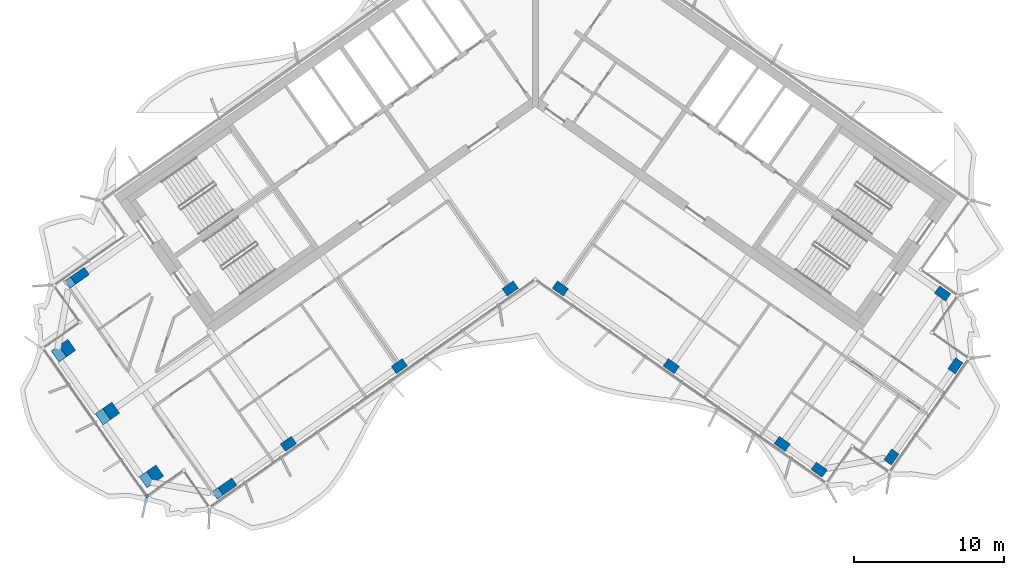
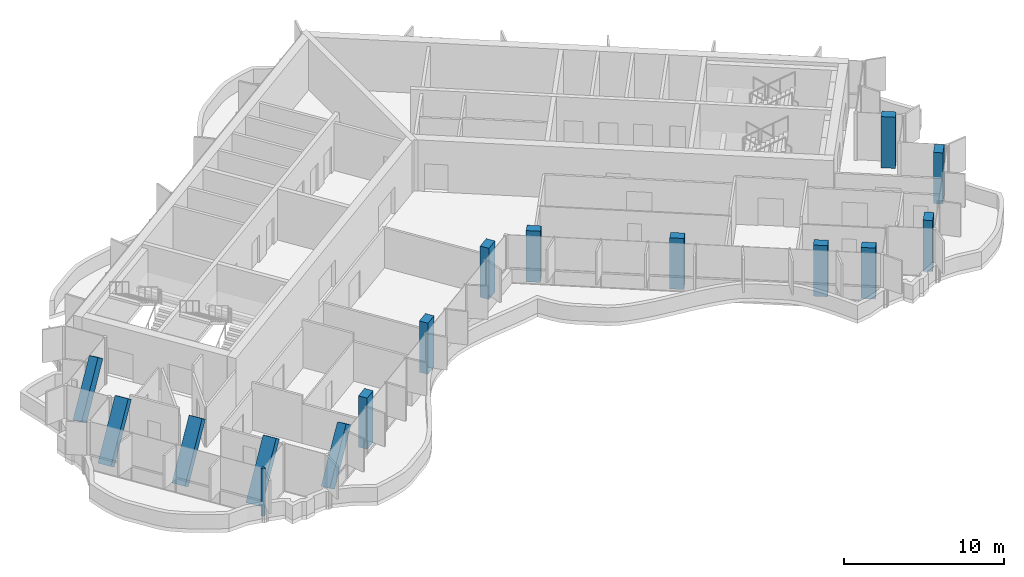
# One storey, part 1 of 17: 15 columns, 1 member, 1 element without a shape of its own.
"""IFC4 building model written with IfcOpenShell, lengths in metres."""

from ifc_helpers import new_model, si_unit, direction, frame, origin, origin_2d, place, context, subcontext, project, spatial, rectangle, extrude, clip, halfspace, material, material_profile, profile_set, type_object, element, aggregate, save


model = new_model("IFC4")

# Units and contexts
model_context = context("Model", 3, precision=1e-05, world=origin(), true_north=direction((0.0, 1.0)))
body_context = subcontext(model_context, "Body", "Model", "MODEL_VIEW")
ifc_project = project(units=[si_unit("LENGTHUNIT", "METRE"), si_unit("AREAUNIT", "SQUARE_METRE"), si_unit("VOLUMEUNIT", "CUBIC_METRE"), si_unit("PLANEANGLEUNIT", "RADIAN"), si_unit("MASSUNIT", "GRAM", prefix="KILO")], contexts=[model_context])

# Site, building, storey
site_placement = place(None, origin())
site = spatial("IfcSite", under=ifc_project, at=site_placement, CompositionType="ELEMENT")
building_placement = place(site_placement, origin())
building = spatial("IfcBuilding", under=site, at=building_placement, Name="Tel Ilan Convention Tower", CompositionType="ELEMENT")
storey_placement = place(building_placement, frame((0.0, 0.0, 291.699951171875)))
storey = spatial("IfcBuildingStorey", under=building, at=storey_placement, Name="L69", CompositionType="ELEMENT", Elevation=291.699951171875)

# Columns
ifc_material_1 = material(Name="Concrete C40/50", Category="concrete")
ifc_material_profile_1 = material_profile(ifc_material_1, rectangle(XDim=0.89990234375, YDim=0.60009765625, at=origin_2d()), Name="RC 600x900")
ifc_profile_set_1 = profile_set([ifc_material_profile_1], Name="Concrete C40/50")
column_type = type_object("IfcColumnType", Name="Column RC 600x900 C40/50", PredefinedType="COLUMN", material=ifc_profile_set_1)
for number, where, z_axis, x_axis, name in (
    (1, (-1.665283203125, -13.312744140625, 0.0), (0.0, 0.0, 1.0), (-0.819152044289, -0.573576436351, 0.0), "L69 column W-F1"),
    (2, (-9.03759765625, -18.474853515625, 0.0), (0.0, 0.0, 1.0), (-0.819152044289, -0.573576436351, 0.0), "L69 column W-F2"),
    (3, (-16.409912109375, -23.63720703125, 0.0), (0.0, 0.0, 1.0), (-0.819152044289, -0.573576436351, 0.0), "L69 column W-F3"),
):
    element("IfcColumn", number, at=place(storey_placement, frame(where, z_axis=z_axis, x_axis=x_axis)), inside=storey, type_object=column_type, Name=name, PredefinedType="COLUMN", context=body_context, shape_type="SweptSolid", body=[
        extrude(rectangle(XDim=0.89990234375, YDim=0.60009765625, at=origin_2d()), origin(), (0.0, 0.0, 1.0), 3.900146484375),
    ])
column_1_placement = place(storey_placement, frame((-21.1611328125, -26.9638671875, 0.0), z_axis=(0.477753821567, 0.334504059302, 0.812316637949), x_axis=(-0.665425733877, -0.465904403267, 0.583216666181)))
element("IfcColumn", 4, at=column_1_placement, inside=storey, type_object=column_type, Name="L69 column W-FC", PredefinedType="COLUMN", context=body_context, shape_type="Clipping", body=[
    clip(clip(extrude(rectangle(XDim=0.89990234375, YDim=0.60009765625, at=origin_2d()), origin(), (0.0, 0.0, 1.0), 4.80126953125), halfspace(frame((0.0, 0.0, 0.322998046875), z_axis=(0.0, 0.0, 1.0), x_axis=(1.0, 0.0, 0.0)), True)), halfspace(frame((0.0, 0.0, 4.478271484375), z_axis=(0.0, 0.0, 1.0), x_axis=(1.0, 0.0, 0.0)), False)),
])
column_2_placement = place(storey_placement, frame((-30.96923828125, -12.95654296875, 0.0), z_axis=(0.477708473805, 0.334513449123, 0.812339440388), x_axis=(-0.665417487414, -0.465955935529, 0.583184905146)))
element("IfcColumn", 5, at=column_2_placement, inside=storey, type_object=column_type, Name="L69 column W-BC", PredefinedType="COLUMN", context=body_context, shape_type="Clipping", body=[
    clip(clip(extrude(rectangle(XDim=0.89990234375, YDim=0.60009765625, at=origin_2d()), origin(), (0.0, 0.0, 1.0), 4.80126953125), halfspace(frame((0.0, 0.0, 0.322998046875), z_axis=(0.0, 0.0, 1.0), x_axis=(1.0, 0.0, 0.0)), True)), halfspace(frame((0.0, 0.0, 4.47802734375), z_axis=(0.0, 0.0, 1.0), x_axis=(1.0, 0.0, 0.0)), False)),
])
column_3_placement = place(storey_placement, frame((-25.9658203125, -26.11669921875, 0.0), z_axis=(0.477704706914, 0.334521785172, 0.812338222809), x_axis=(-0.573610203854, 0.819128398991, 0.0)))
element("IfcColumn", 6, at=column_3_placement, inside=storey, type_object=column_type, Name="L69 column W-E1", PredefinedType="COLUMN", context=body_context, shape_type="Clipping", body=[
    clip(clip(extrude(rectangle(XDim=0.89990234375, YDim=0.60009765625, at=origin_2d()), origin(), (0.0, 0.0, 1.0), 4.801025390625), halfspace(frame((0.0, 0.0, 0.21533203125), z_axis=(0.0, 0.0, 1.0), x_axis=(1.0, 0.0, 0.0)), True)), halfspace(frame((0.0, 0.0, 4.58544921875), z_axis=(0.0, 0.0, 1.0), x_axis=(1.0, 0.0, 0.0)), False)),
])
for number, where, z_axis, x_axis, name in (
    (7, (-28.891357421875, -21.93896484375, 0.0), (0.477747821975, 0.334512857575, 0.812316543421), (-0.573565197047, 0.819159914019, 0.0), "L69 column W-E2"),
    (8, (-31.816650390625, -17.76123046875, 0.0), (0.477747821975, 0.334512857575, 0.812316543421), (-0.573565197047, 0.819159914019, 0.0), "L69 column W-E3"),
):
    element("IfcColumn", number, at=place(storey_placement, frame(where, z_axis=z_axis, x_axis=x_axis)), inside=storey, type_object=column_type, Name=name, PredefinedType="COLUMN", context=body_context, shape_type="Clipping", body=[
        clip(clip(extrude(rectangle(XDim=0.89990234375, YDim=0.60009765625, at=origin_2d()), origin(), (0.0, 0.0, 1.0), 4.801025390625), halfspace(frame((0.0, 0.0, 0.21533203125), z_axis=(0.0, 0.0, 1.0), x_axis=(1.0, 0.0, 0.0)), True)), halfspace(frame((0.0, 0.0, 4.585693359375), z_axis=(0.0, 0.0, 1.0), x_axis=(1.0, 0.0, 0.0)), False)),
    ])
for number, where, z_axis, x_axis, name in (
    (9, (1.665283203125, -13.312744140625, 0.0), (0.0, 0.0, 1.0), (0.819152044289, -0.573576436351, 0.0), "L69 column E-F1"),
    (10, (9.03759765625, -18.474853515625, 0.0), (0.0, 0.0, 1.0), (0.819152044289, -0.573576436351, 0.0), "L69 column E-F2"),
    (11, (16.409912109375, -23.63720703125, 0.0), (0.0, 0.0, 1.0), (0.819152044289, -0.573576436351, 0.0), "L69 column E-F3"),
    (12, (18.867431640625, -25.35791015625, 0.0), (0.0, 0.0, 1.0), (0.819152044289, -0.573576436351, 0.0), "L69 column E-FC"),
    (13, (27.069580078125, -13.64404296875, 0.0), (0.0, 0.0, 1.0), (0.819152044289, -0.573576436351, 0.0), "L69 column E-BC"),
    (14, (23.67236328125, -24.510498046875, 0.0), (0.0, 0.0, 1.0), (0.573576436351, 0.819152044289, 0.0), "L69 column E-E1"),
    (15, (27.9169921875, -18.448974609375, 0.0), (0.0, 0.0, 1.0), (0.573576436351, 0.819152044289, 0.0), "L69 column E-E2"),
):
    element("IfcColumn", number, at=place(storey_placement, frame(where, z_axis=z_axis, x_axis=x_axis)), inside=storey, type_object=column_type, Name=name, PredefinedType="COLUMN", context=body_context, shape_type="SweptSolid", body=[
        extrude(rectangle(XDim=0.89990234375, YDim=0.60009765625, at=origin_2d()), origin(), (0.0, 0.0, 1.0), 3.900146484375),
    ])

# Curtain wall, member
ifc_material_2 = material(Name="Aluminium, bronze anodised", Category="aluminium")
curtain_wall_type = type_object("IfcCurtainWallType", Name="CW5 STICK CURTAIN WALL, UPPER OFFICE LOW-IRON TINTED GLASS", PredefinedType="NOTDEFINED", material=ifc_material_2)
curtain_wall_placement = place(storey_placement, origin())
curtain_wall = element("IfcCurtainWall", 16, at=curtain_wall_placement, inside=storey, type_object=curtain_wall_type, Name="Curtain wall CW5-52.02", PredefinedType="NOTDEFINED")
ifc_material_3 = material(Name="Aluminium, bronze anodised", Category="aluminium")
ifc_material_profile_2 = material_profile(ifc_material_3, rectangle(XDim=0.199951171875, YDim=0.199951171875, at=origin_2d()), Name="CW CORNER MULLION 200x200")
ifc_profile_set_2 = profile_set([ifc_material_profile_2], Name="Aluminium, bronze anodised")
member_type = type_object("IfcMemberType", Name="CW CORNER MULLION 200x200", PredefinedType="MULLION", material=ifc_profile_set_2)
member_placement = place(storey_placement, frame((-25.818359375, -27.112060546875, 0.0), z_axis=(0.0, 0.0, 1.0), x_axis=(0.573576436351, -0.819152044289, 0.0)))
member = element("IfcMember", 17, at=member_placement, type_object=member_type, Name="Corner mullion", PredefinedType="MULLION", context=body_context, shape_type="SweptSolid", body=[
    extrude(rectangle(XDim=0.199951171875, YDim=0.199951171875, at=origin_2d()), origin(), (0.0, 0.0, 1.0), 3.6201171875),
])
aggregate(curtain_wall, [member])

save(model, "model.ifc")
